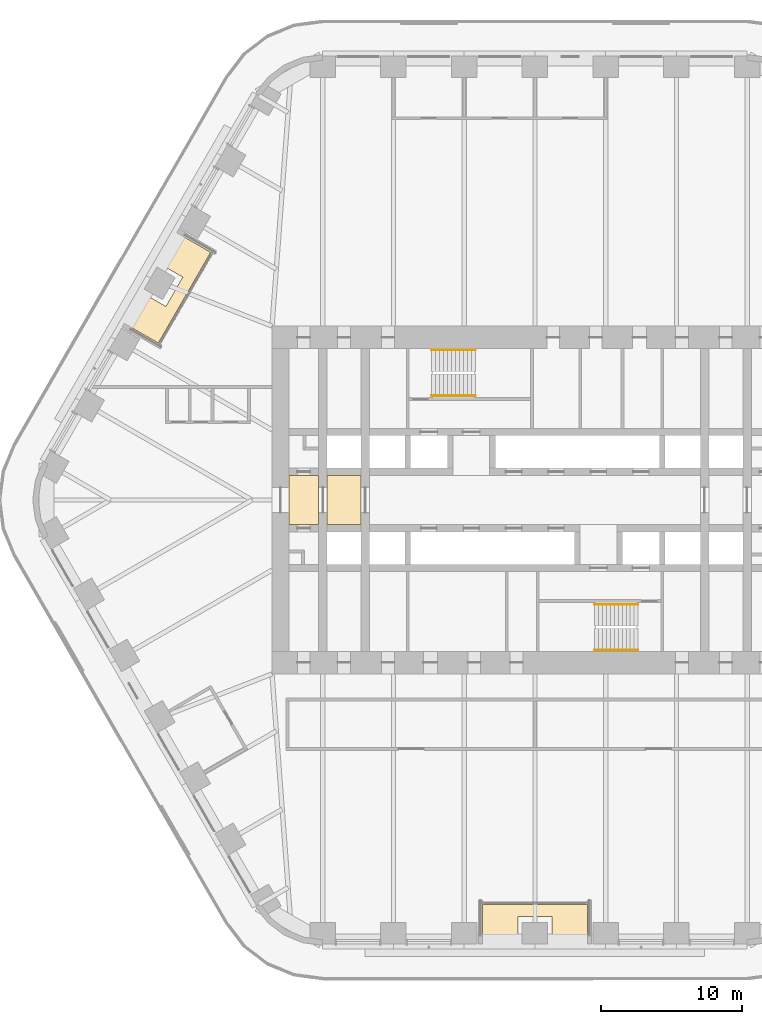
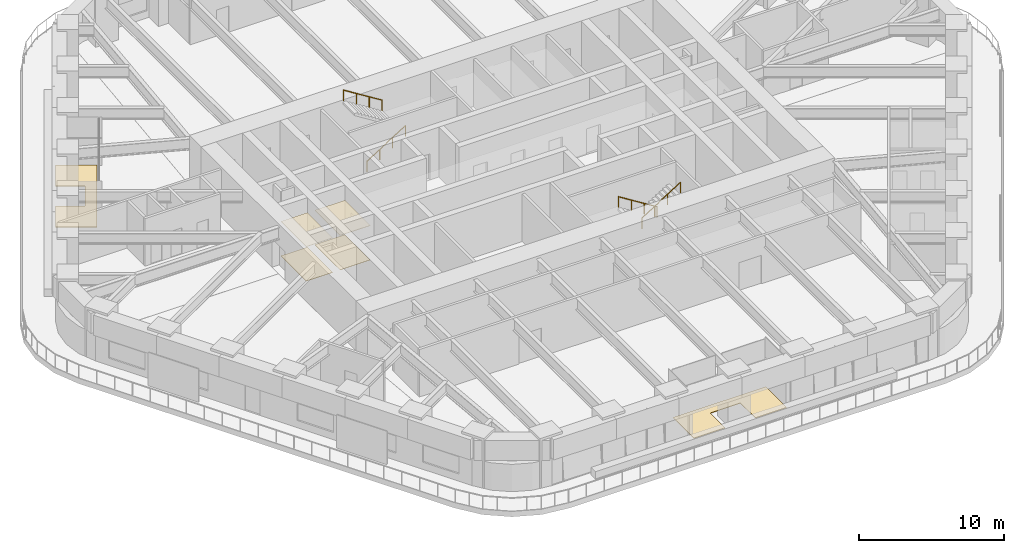
# One storey, part 22 of 24: 6 coverings, 4 railings.
"""IFC4 building model written with IfcOpenShell, lengths in metres."""

from ifc_helpers import new_model, si_unit, direction, frame, origin, origin_2d, place, context, subcontext, project, spatial, polyline, circle, outline, extrude, material, layer, layer_set, type_object, element, save


model = new_model("IFC4")

# Units and contexts
model_context = context("Model", 3, precision=1e-05, world=origin(), true_north=direction((0.0, 1.0)))
body_context = subcontext(model_context, "Body", "Model", "MODEL_VIEW")
ifc_project = project(units=[si_unit("LENGTHUNIT", "METRE"), si_unit("AREAUNIT", "SQUARE_METRE"), si_unit("VOLUMEUNIT", "CUBIC_METRE"), si_unit("PLANEANGLEUNIT", "RADIAN"), si_unit("MASSUNIT", "GRAM", prefix="KILO")], contexts=[model_context])

# Site, building, storey
site_placement = place(None, origin())
site = spatial("IfcSite", under=ifc_project, at=site_placement, CompositionType="ELEMENT")
building_placement = place(site_placement, origin())
building = spatial("IfcBuilding", under=site, at=building_placement, Name="Tarfa Lantern Tower", CompositionType="ELEMENT")
storey_placement = place(building_placement, frame((0.0, 0.0, 132.10009765625)))
storey = spatial("IfcBuildingStorey", under=building, at=storey_placement, Name="L29", CompositionType="ELEMENT", Elevation=132.10009765625)

# Coverings
ifc_material_1 = material(Name="Powder-coated aluminium panel", Category="aluminium")
ifc_layer_1 = layer(ifc_material_1, 0.030029296875)
ifc_layer_set_1 = layer_set([ifc_layer_1], Name="CL3 METAL PANEL CEILING 30")
covering_type_1 = type_object("IfcCoveringType", Name="CL3 METAL PANEL CEILING 30", PredefinedType="CEILING", material=ifc_layer_set_1)
covering_1_placement = place(storey_placement, frame((0.0, 0.0, 2.89990234375)))
element("IfcCovering", 1, at=covering_1_placement, inside=storey, type_object=covering_type_1, Name="Ceiling L29-01", PredefinedType="CEILING", context=body_context, shape_type="SweptSolid", body=[
    extrude(outline(polyline([(-17.39990234375, -1.75), (-15.300048828125, -1.75), (-15.300048828125, 1.75), (-17.39990234375, 1.75), (-17.39990234375, -1.75)])), origin(), (0.0, 0.0, 1.0), 0.030029296875),
])
covering_2_placement = place(storey_placement, frame((0.0, 0.0, 2.89990234375)))
element("IfcCovering", 2, at=covering_2_placement, inside=storey, type_object=covering_type_1, Name="Ceiling L29-02", PredefinedType="CEILING", context=body_context, shape_type="SweptSolid", body=[
    extrude(outline(polyline([(-14.699951171875, -1.75), (-12.300048828125, -1.75), (-12.300048828125, 1.75), (-14.699951171875, 1.75), (-14.699951171875, -1.75)])), origin(), (0.0, 0.0, 1.0), 0.030029296875),
])
ifc_material_2 = material(Name="Honed limestone flooring", Category="masonry")
ifc_layer_2 = layer(ifc_material_2, 0.030029296875)
ifc_layer_set_2 = layer_set([ifc_layer_2], Name="FL2 STONE FLOORING 30")
covering_type_2 = type_object("IfcCoveringType", Name="FL2 STONE FLOORING 30", PredefinedType="FLOORING", material=ifc_layer_set_2)
covering_3_placement = place(storey_placement, origin())
element("IfcCovering", 3, at=covering_3_placement, inside=storey, type_object=covering_type_2, Name="Floor finish L29-01", PredefinedType="FLOORING", context=body_context, shape_type="SweptSolid", body=[
    extrude(outline(polyline([(-17.39990234375, -1.75), (-15.300048828125, -1.75), (-15.300048828125, 1.75), (-17.39990234375, 1.75), (-17.39990234375, -1.75)])), origin(), (0.0, 0.0, 1.0), 0.02978515625),
])
covering_4_placement = place(storey_placement, origin())
element("IfcCovering", 4, at=covering_4_placement, inside=storey, type_object=covering_type_2, Name="Floor finish L29-02", PredefinedType="FLOORING", context=body_context, shape_type="SweptSolid", body=[
    extrude(outline(polyline([(-14.699951171875, -1.75), (-12.300048828125, -1.75), (-12.300048828125, 1.75), (-14.699951171875, 1.75), (-14.699951171875, -1.75)])), origin(), (0.0, 0.0, 1.0), 0.02978515625),
])

# Railings
ifc_material_3 = material(Name="Stainless steel", Category="steel")
railing_type = type_object("IfcRailingType", Name="HR1 HANDRAIL 900", PredefinedType="HANDRAIL", material=ifc_material_3)
railing_1_placement = place(storey_placement, frame((-7.300048828125, 7.3798828125, 0.1748046875)))
element("IfcRailing", 5, at=railing_1_placement, inside=storey, type_object=railing_type, Name="Handrail 1", PredefinedType="HANDRAIL", context=body_context, shape_type="SweptSolid", body=[
    extrude(circle(Radius=0.02392578125, at=origin_2d()), frame((0.0, 0.0, 0.8759765625), z_axis=(0.847998304005, 0.0, 0.529998940003), x_axis=(0.0, 1.0, 0.0)), (0.0, 0.0, 1.0), 3.632080078125),
    extrude(circle(Radius=0.02099609375, at=origin_2d()), frame((0.0, 0.0, 0.0), z_axis=(0.0, 0.0, 1.0), x_axis=(0.0, 1.0, 0.0)), (0.0, 0.0, 1.0), 0.851806640625),
    extrude(circle(Radius=0.02099609375, at=origin_2d()), frame((1.026611328125, 0.0, 0.6416015625), z_axis=(0.0, 0.0, 1.0), x_axis=(0.0, 1.0, 0.0)), (0.0, 0.0, 1.0), 0.851806640625),
    extrude(circle(Radius=0.02099609375, at=origin_2d()), frame((2.053466796875, 0.0, 1.283447265625), z_axis=(0.0, 0.0, 1.0), x_axis=(0.0, 1.0, 0.0)), (0.0, 0.0, 1.0), 0.851806640625),
    extrude(circle(Radius=0.02099609375, at=origin_2d()), frame((3.080078125, 0.0, 1.925048828125), z_axis=(0.0, 0.0, 1.0), x_axis=(0.0, 1.0, 0.0)), (0.0, 0.0, 1.0), 0.851806640625),
])
for number, where, name in (
    (6, (-4.219970703125, 10.6201171875, 2.27490234375), "Handrail 2"),
    (7, (7.300048828125, -7.3798828125, 0.1748046875), "Handrail 1"),
):
    element("IfcRailing", number, at=place(storey_placement, frame(where)), inside=storey, type_object=railing_type, Name=name, PredefinedType="HANDRAIL", context=body_context, shape_type="SweptSolid", body=[
        extrude(circle(Radius=0.02392578125, at=origin_2d()), frame((0.0, 0.0, 0.8759765625), z_axis=(-0.847998304005, 0.0, 0.529998940003), x_axis=(0.0, -1.0, 0.0)), (0.0, 0.0, 1.0), 3.632080078125),
        extrude(circle(Radius=0.02099609375, at=origin_2d()), frame((0.0, 0.0, 0.0), z_axis=(0.0, 0.0, 1.0), x_axis=(0.0, -1.0, 0.0)), (0.0, 0.0, 1.0), 0.851806640625),
        extrude(circle(Radius=0.02099609375, at=origin_2d()), frame((-1.026611328125, 0.0, 0.6416015625), z_axis=(0.0, 0.0, 1.0), x_axis=(0.0, -1.0, 0.0)), (0.0, 0.0, 1.0), 0.851806640625),
        extrude(circle(Radius=0.02099609375, at=origin_2d()), frame((-2.053466796875, 0.0, 1.283447265625), z_axis=(0.0, 0.0, 1.0), x_axis=(0.0, -1.0, 0.0)), (0.0, 0.0, 1.0), 0.851806640625),
        extrude(circle(Radius=0.02099609375, at=origin_2d()), frame((-3.080078125, 0.0, 1.925048828125), z_axis=(0.0, 0.0, 1.0), x_axis=(0.0, -1.0, 0.0)), (0.0, 0.0, 1.0), 0.851806640625),
    ])
railing_2_placement = place(storey_placement, frame((4.219970703125, -10.6201171875, 2.27490234375)))
element("IfcRailing", 8, at=railing_2_placement, inside=storey, type_object=railing_type, Name="Handrail 2", PredefinedType="HANDRAIL", context=body_context, shape_type="SweptSolid", body=[
    extrude(circle(Radius=0.02392578125, at=origin_2d()), frame((0.0, 0.0, 0.8759765625), z_axis=(0.847998304005, 0.0, 0.529998940003), x_axis=(0.0, 1.0, 0.0)), (0.0, 0.0, 1.0), 3.632080078125),
    extrude(circle(Radius=0.02099609375, at=origin_2d()), frame((0.0, 0.0, 0.0), z_axis=(0.0, 0.0, 1.0), x_axis=(0.0, 1.0, 0.0)), (0.0, 0.0, 1.0), 0.851806640625),
    extrude(circle(Radius=0.02099609375, at=origin_2d()), frame((1.026611328125, 0.0, 0.6416015625), z_axis=(0.0, 0.0, 1.0), x_axis=(0.0, 1.0, 0.0)), (0.0, 0.0, 1.0), 0.851806640625),
    extrude(circle(Radius=0.02099609375, at=origin_2d()), frame((2.053466796875, 0.0, 1.283447265625), z_axis=(0.0, 0.0, 1.0), x_axis=(0.0, 1.0, 0.0)), (0.0, 0.0, 1.0), 0.851806640625),
    extrude(circle(Radius=0.02099609375, at=origin_2d()), frame((3.080078125, 0.0, 1.925048828125), z_axis=(0.0, 0.0, 1.0), x_axis=(0.0, 1.0, 0.0)), (0.0, 0.0, 1.0), 0.851806640625),
])

# Coverings
ifc_material_4 = material(Name="Porcelain pavers on pedestals", Category="ceramic")
ifc_layer_3 = layer(ifc_material_4, 0.0400390625)
ifc_layer_set_3 = layer_set([ifc_layer_3], Name="LP1 LOGGIA PAVING 40")
covering_type_3 = type_object("IfcCoveringType", Name="LP1 LOGGIA PAVING 40", PredefinedType="FLOORING", material=ifc_layer_set_3)
covering_5_placement = place(storey_placement, origin())
element("IfcCovering", 9, at=covering_5_placement, inside=storey, type_object=covering_type_3, Name="Loggia paving NW", PredefinedType="FLOORING", context=body_context, shape_type="SweptSolid", body=[
    extrude(outline(polyline([(-25.427978515625, 18.95751953125), (-22.933837890625, 17.517578125), (-26.637451171875, 11.1025390625), (-29.131591796875, 12.54248046875), (-27.8798828125, 14.710693359375), (-26.1044921875, 13.685791015625), (-24.904541015625, 15.76416015625), (-26.6796875, 16.789306640625), (-25.427978515625, 18.95751953125)])), origin(), (0.0, 0.0, 1.0), 0.039794921875),
])
covering_6_placement = place(storey_placement, origin())
element("IfcCovering", 10, at=covering_6_placement, inside=storey, type_object=covering_type_3, Name="Loggia paving S", PredefinedType="FLOORING", context=body_context, shape_type="SweptSolid", body=[
    extrude(outline(polyline([(-3.70361328125, -31.5), (-3.70361328125, -28.6201171875), (3.70361328125, -28.6201171875), (3.70361328125, -31.5), (1.199951171875, -31.5), (1.199951171875, -29.449951171875), (-1.199951171875, -29.449951171875), (-1.199951171875, -31.5), (-3.70361328125, -31.5)])), origin(), (0.0, 0.0, 1.0), 0.039794921875),
])

save(model, "model.ifc")
